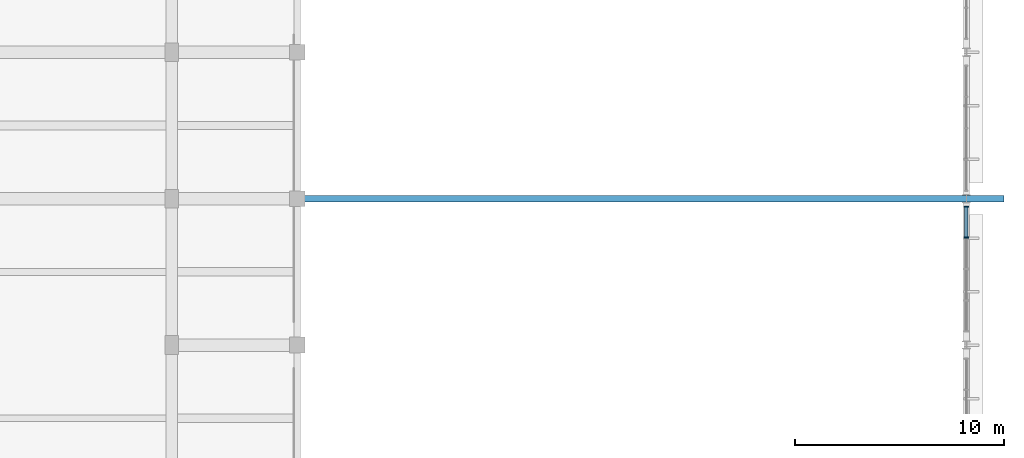
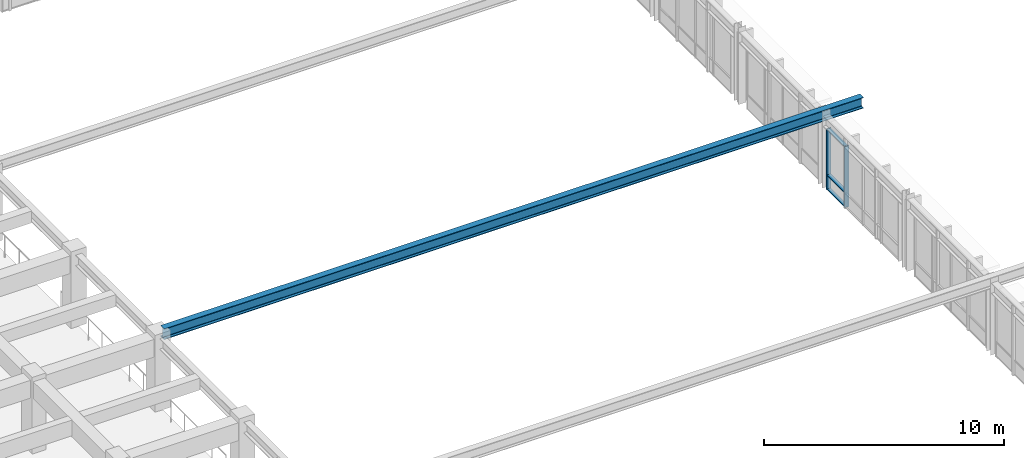
# One storey, part 40 of 98: 5 members, 1 beam, 1 element without a shape of its own.
"""IFC4 building model written with IfcOpenShell, lengths in metres."""

import ifcopenshell
import ifcopenshell.guid

model = None  # the IFC model being written
_history = None  # IfcOwnerHistory: only IFC2X3 demands one
_inside = {}  # id of a spatial element -> (the spatial element, [elements in it])
_under = {}  # id of a project, library or spatial element -> (it, [spatial elements below it])
_declared = {}  # id of a project -> (the project, [libraries it declares])
_typed = {}  # id of a type object -> (the type object, [elements of that type])
_made_of = {}  # id of a material, layer set ... -> (it, [elements and type objects made of it])


def new_model(schema):
    """Start an empty IFC model of exactly this schema.

    Asked for "IFC4X3", IfcOpenShell would pick the latest addendum, in which some entities
    have other attributes; the version numbers below select the first issue.
    IFC2X3 requires an IfcOwnerHistory on every rooted entity: one is made here for all.
    """
    global model, _history
    if schema == "IFC4X3":
        model = ifcopenshell.file(schema_version=(4, 3, 0, 0))
    else:
        model = ifcopenshell.file(schema=schema)
    _inside.clear()
    _under.clear()
    _declared.clear()
    _typed.clear()
    _made_of.clear()
    _history = None
    if model.schema == "IFC2X3":
        org = make("IfcOrganization", Name="unknown")
        user = make(
            "IfcPersonAndOrganization",
            ThePerson=make("IfcPerson", FamilyName="unknown"),
            TheOrganization=org,
        )
        app = make(
            "IfcApplication",
            ApplicationDeveloper=org,
            Version="unknown",
            ApplicationFullName="unknown",
            ApplicationIdentifier="unknown",
        )
        _history = make(
            "IfcOwnerHistory",
            OwningUser=user,
            OwningApplication=app,
            ChangeAction="ADDED",
            CreationDate=0,
        )
    return model


def make(cls, **values):
    """One entity of the class cls with the attributes given. An attribute that is None is left unset."""
    return model.create_entity(
        cls, **{name: value for name, value in values.items() if value is not None}
    )


def rooted(cls, **values):
    """An entity with a GlobalId (a new one), such as an element, a storey or a relation."""
    return make(cls, GlobalId=ifcopenshell.guid.new(), OwnerHistory=_history, **values)


def si_unit(unit_type, name, prefix=None):
    """IfcSIUnit, for example si_unit("LENGTHUNIT", "METRE", prefix="MILLI")."""
    return make("IfcSIUnit", UnitType=unit_type, Prefix=prefix, Name=name)


def assignment(units):
    """IfcUnitAssignment: the units of a project."""
    return None if units is None else make("IfcUnitAssignment", Units=units)


def point(xyz):
    """IfcCartesianPoint."""
    return None if xyz is None else make("IfcCartesianPoint", Coordinates=xyz)


def direction(xyz):
    """IfcDirection."""
    return None if xyz is None else make("IfcDirection", DirectionRatios=xyz)


def frame(location, z_axis=None, x_axis=None):
    """IfcAxis2Placement3D, a coordinate frame: its origin and axes. An axis left out is left unset."""
    return make(
        "IfcAxis2Placement3D",
        Location=point(location),
        Axis=direction(z_axis),
        RefDirection=direction(x_axis),
    )


def frame_2d(location, x_axis=None):
    """IfcAxis2Placement2D, a coordinate frame in the plane: its origin and x axis."""
    return make(
        "IfcAxis2Placement2D", Location=point(location), RefDirection=direction(x_axis)
    )


def origin():
    """The frame at (0, 0, 0) with its axes left unset."""
    return frame((0.0, 0.0, 0.0))


def origin_2d():
    """The frame at (0, 0) in the plane with its x axis left unset."""
    return frame_2d((0.0, 0.0))


def place(relative_to, where):
    """IfcLocalPlacement: puts the frame where relative to a parent placement (None: the world)."""
    return make(
        "IfcLocalPlacement", PlacementRelTo=relative_to, RelativePlacement=where
    )


def context(
    kind, dimensions, precision=None, world=None, true_north=None, identifier=None
):
    """IfcGeometricRepresentationContext, for example the 3D "Model" context."""
    return make(
        "IfcGeometricRepresentationContext",
        ContextIdentifier=identifier,
        ContextType=kind,
        CoordinateSpaceDimension=dimensions,
        Precision=precision,
        WorldCoordinateSystem=world,
        TrueNorth=true_north,
    )


def subcontext(parent, identifier, kind, view, scale=None):
    """IfcGeometricRepresentationSubContext, for example "Body" below "Model"."""
    return make(
        "IfcGeometricRepresentationSubContext",
        ContextIdentifier=identifier,
        ContextType=kind,
        ParentContext=parent,
        TargetScale=scale,
        TargetView=view,
    )


def project(units=None, contexts=None):
    """IfcProject with its units and contexts."""
    return rooted(
        "IfcProject",
        Name="project",
        RepresentationContexts=contexts,
        UnitsInContext=assignment(units),
    )


def spatial(cls, under=None, at=None, **own):
    """A site, building, storey or space (cls), placed at a placement, below another one or the project."""
    s = rooted(cls, ObjectPlacement=at, **own)
    if under is not None:
        _under.setdefault(under.id(), (under, []))[1].append(s)
    return s


def profile(cls, at=None, kind="AREA", **sizes):
    """A parametric profile (cls). Its sizes go by their IFC names, for example OverallWidth=200.0."""
    return make(cls, ProfileType=kind, Position=at, **sizes)


def rectangle(**sizes):
    """IfcRectangleProfileDef."""
    return profile("IfcRectangleProfileDef", **sizes)


def i_section(**sizes):
    """IfcIShapeProfileDef."""
    return profile("IfcIShapeProfileDef", **sizes)


def extrude(swept, where, along, depth):
    """IfcExtrudedAreaSolid: the profile swept, set in the frame where, extruded along a direction by depth."""
    return make(
        "IfcExtrudedAreaSolid",
        SweptArea=swept,
        Position=where,
        ExtrudedDirection=direction(along),
        Depth=depth,
    )


def shape(context_of_items, identifier, shape_type, items):
    """IfcShapeRepresentation: the items that make up one representation, for example the "Body"."""
    return make(
        "IfcShapeRepresentation",
        ContextOfItems=context_of_items,
        RepresentationIdentifier=identifier,
        RepresentationType=shape_type,
        Items=items,
    )


def material(Name=None, Category=None):
    """IfcMaterial."""
    return make("IfcMaterial", Name=Name, Category=Category)


def material_profile(
    of_material, cross_section, Name=None, Category=None, Priority=None
):
    """IfcMaterialProfile: a cross section and its material."""
    return make(
        "IfcMaterialProfile",
        Name=Name,
        Material=of_material,
        Profile=cross_section,
        Priority=Priority,
        Category=Category,
    )


def profile_set(profiles, Name=None, composite=None):
    """IfcMaterialProfileSet."""
    return make(
        "IfcMaterialProfileSet",
        Name=Name,
        MaterialProfiles=profiles,
        CompositeProfile=composite,
    )


def made_of(thing, what):
    """Note that an element or type object is made of a material, layer set ...; save() writes the relation."""
    if what is not None:
        _made_of.setdefault(what.id(), (what, []))[1].append(thing)
    return thing


def type_object(cls, material=None, **own):
    """A type object (cls), such as IfcWallType, which elements share."""
    return made_of(rooted(cls, **own), material)


def element(
    cls,
    number,
    at=None,
    inside=None,
    cuts=None,
    type_object=None,
    material=None,
    context=None,
    identifier="Body",
    shape_type=None,
    held_by="IfcProductDefinitionShape",
    body=None,
    shapes=None,
    **own,
):
    """One element of the class cls, such as IfcWall. Its Tag is "e" and its number.

    at: its placement. inside: the storey or other place that contains it. cuts: it is an
    opening in that element (IfcRelVoidsElement). A single representation is given by context,
    identifier, shape_type and body (its items); several are given by shapes. held_by: the class
    of the entity that holds the representations. save() writes the other relations.
    """
    e = rooted(cls, Tag="e%d" % number, ObjectPlacement=at, **own)
    if body is not None:
        shapes = [shape(context, identifier, shape_type, body)]
    if shapes is not None:
        e.Representation = make(held_by, Representations=shapes)
    if inside is not None:
        _inside.setdefault(inside.id(), (inside, []))[1].append(e)
    if cuts is not None:
        rooted(
            "IfcRelVoidsElement", RelatingBuildingElement=cuts, RelatedOpeningElement=e
        )
    if type_object is not None:
        _typed.setdefault(type_object.id(), (type_object, []))[1].append(e)
    return made_of(e, material)


def aggregate(whole, parts):
    """IfcRelAggregates: a whole, such as a stair, and the parts it consists of."""
    return rooted("IfcRelAggregates", RelatingObject=whole, RelatedObjects=parts)


def save(model, path):
    """Write the relations noted so far, then the file.

    IfcRelAggregates (storeys below a building ...), IfcRelContainedInSpatialStructure (elements
    in a storey), IfcRelDefinesByType, IfcRelAssociatesMaterial and IfcRelDeclares: one each for
    every whole, place, type object, material and project.
    """
    for whole, parts in _under.values():
        aggregate(whole, parts)
    for where, things in _inside.values():
        rooted(
            "IfcRelContainedInSpatialStructure",
            RelatedElements=things,
            RelatingStructure=where,
        )
    for kind, things in _typed.values():
        rooted("IfcRelDefinesByType", RelatedObjects=things, RelatingType=kind)
    for what, things in _made_of.values():
        rooted("IfcRelAssociatesMaterial", RelatedObjects=things, RelatingMaterial=what)
    for by, libraries in _declared.values():
        rooted("IfcRelDeclares", RelatingContext=by, RelatedDefinitions=libraries)
    model.write(path)


model = new_model("IFC4")

# Units and contexts
model_context = context("Model", 3, precision=1e-05, world=origin(), true_north=direction((0.0, 1.0)))
body_context = subcontext(model_context, "Body", "Model", "MODEL_VIEW")
ifc_project = project(units=[si_unit("LENGTHUNIT", "METRE"), si_unit("AREAUNIT", "SQUARE_METRE"), si_unit("VOLUMEUNIT", "CUBIC_METRE"), si_unit("PLANEANGLEUNIT", "RADIAN"), si_unit("MASSUNIT", "GRAM", prefix="KILO")], contexts=[model_context])

# Site, building, storey
site_placement = place(None, origin())
site = spatial("IfcSite", under=ifc_project, at=site_placement, CompositionType="ELEMENT")
building_placement = place(site_placement, origin())
building = spatial("IfcBuilding", under=site, at=building_placement, Name="Larkveld Mobility Hub", CompositionType="ELEMENT")
storey_placement = place(building_placement, frame((0.0, 0.0, 4.5)))
storey = spatial("IfcBuildingStorey", under=building, at=storey_placement, Name="L01", CompositionType="ELEMENT", Elevation=4.5)

# Beam
ifc_material_1 = material(Name="Steel S355JR", Category="steel")
ifc_material_profile_1 = material_profile(ifc_material_1, i_section(OverallWidth=0.300048828125, OverallDepth=0.550048828125, WebThickness=0.014892578125, FlangeThickness=0.029052734375, FilletRadius=0.027099609375, at=origin_2d()), Name="HEB 550")
ifc_profile_set_1 = profile_set([ifc_material_profile_1], Name="Steel S355JR")
beam_type = type_object("IfcBeamType", Name="BM-STHEB550", PredefinedType="BEAM", material=ifc_profile_set_1)
beam_placement = place(storey_placement, frame((152.18994140625, 98.0, 3.625), z_axis=(1.0, 0.0, 0.0), x_axis=(0.0, 1.0, 0.0)))
element("IfcBeam", 1, at=beam_placement, inside=storey, type_object=beam_type, Name="Sawtooth Valley Tie Girder T6 L01-1741", PredefinedType="BEAM", context=body_context, shape_type="SweptSolid", body=[
    extrude(i_section(OverallWidth=0.300048828125, OverallDepth=0.550048828125, WebThickness=0.014892578125, FlangeThickness=0.029052734375, FilletRadius=0.027099609375, at=origin_2d()), origin(), (0.0, 0.0, 1.0), 33.610107421875),
])

# Curtain wall, members
ifc_material_2 = material(Name="Anodised aluminium 6063-T6", Category="aluminium")
curtain_wall_type = type_object("IfcCurtainWallType", Name="CW-SYS-11", PredefinedType="NOTDEFINED", material=ifc_material_2)
curtain_wall_placement = place(storey_placement, origin())
curtain_wall = element("IfcCurtainWall", 2, at=curtain_wall_placement, inside=storey, type_object=curtain_wall_type, Name="Bus Hall Upper East Glazing B5 CW-059", PredefinedType="NOTDEFINED")
ifc_material_profile_2 = material_profile(ifc_material_2, rectangle(XDim=0.050048828125, YDim=0.2099609375, at=origin_2d()), Name="ALU MULL 50x210")
ifc_profile_set_2 = profile_set([ifc_material_profile_2], Name="Anodised aluminium 6063-T6")
member_type_1 = type_object("IfcMemberType", Name="CW-MUL-03", PredefinedType="MULLION", material=ifc_profile_set_2)
member_1_placement = place(storey_placement, frame((184.0, 96.14404296875, -0.001953125), z_axis=(0.0, 0.0, 1.0), x_axis=(0.0, 1.0, 0.0)))
member_1 = element("IfcMember", 3, at=member_1_placement, type_object=member_type_1, Name="CW11 mullion 4", PredefinedType="MULLION", context=body_context, shape_type="SweptSolid", body=[
    extrude(rectangle(XDim=0.050048828125, YDim=0.2099609375, at=origin_2d()), origin(), (0.0, 0.0, 1.0), 3.112060546875),
])
member_2_placement = place(storey_placement, frame((184.0, 97.625, -0.001953125), z_axis=(0.0, 0.0, 1.0), x_axis=(0.0, 1.0, 0.0)))
member_2 = element("IfcMember", 4, at=member_2_placement, type_object=member_type_1, Name="CW11 mullion 5", PredefinedType="MULLION", context=body_context, shape_type="SweptSolid", body=[
    extrude(rectangle(XDim=0.050048828125, YDim=0.2099609375, at=origin_2d()), origin(), (0.0, 0.0, 1.0), 3.112060546875),
])
ifc_material_profile_3 = material_profile(ifc_material_2, rectangle(XDim=0.169921875, YDim=0.050048828125, at=origin_2d()), Name="ALU TRAN 50x170")
ifc_profile_set_3 = profile_set([ifc_material_profile_3], Name="Anodised aluminium 6063-T6")
member_type_2 = type_object("IfcMemberType", Name="CW-TRN-03", PredefinedType="USERDEFINED", material=ifc_profile_set_3)
member_3_placement = place(storey_placement, frame((184.0, 96.158935546875, 0.030029296875), z_axis=(0.0, 1.0, 0.0), x_axis=(-1.0, 0.0, 0.0)))
member_3 = element("IfcMember", 5, at=member_3_placement, type_object=member_type_2, Name="CW11 transom 4.1", ObjectType="TRANSOM", PredefinedType="USERDEFINED", context=body_context, shape_type="SweptSolid", body=[
    extrude(rectangle(XDim=0.169921875, YDim=0.050048828125, at=origin_2d()), origin(), (0.0, 0.0, 1.0), 1.4560546875),
])
member_4_placement = place(storey_placement, frame((184.0, 96.158935546875, 0.75), z_axis=(0.0, 1.0, 0.0), x_axis=(-1.0, 0.0, 0.0)))
member_4 = element("IfcMember", 6, at=member_4_placement, type_object=member_type_2, Name="CW11 transom 4.2", ObjectType="TRANSOM", PredefinedType="USERDEFINED", context=body_context, shape_type="SweptSolid", body=[
    extrude(rectangle(XDim=0.169921875, YDim=0.050048828125, at=origin_2d()), origin(), (0.0, 0.0, 1.0), 1.4560546875),
])
member_5_placement = place(storey_placement, frame((184.0, 96.158935546875, 3.077880859375), z_axis=(0.0, 1.0, 0.0), x_axis=(-1.0, 0.0, 0.0)))
member_5 = element("IfcMember", 7, at=member_5_placement, type_object=member_type_2, Name="CW11 transom 4.3", ObjectType="TRANSOM", PredefinedType="USERDEFINED", context=body_context, shape_type="SweptSolid", body=[
    extrude(rectangle(XDim=0.169921875, YDim=0.050048828125, at=origin_2d()), origin(), (0.0, 0.0, 1.0), 1.4560546875),
])
aggregate(curtain_wall, [member_1, member_2, member_3, member_4, member_5])

save(model, "model.ifc")
